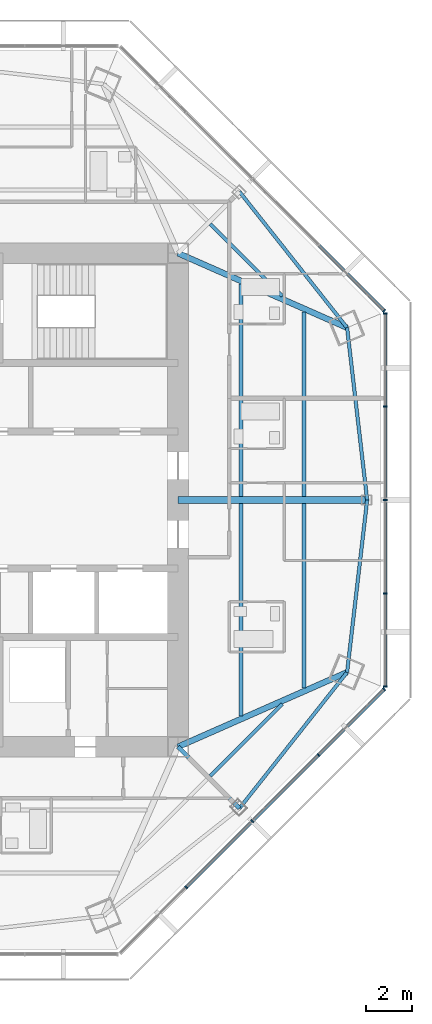
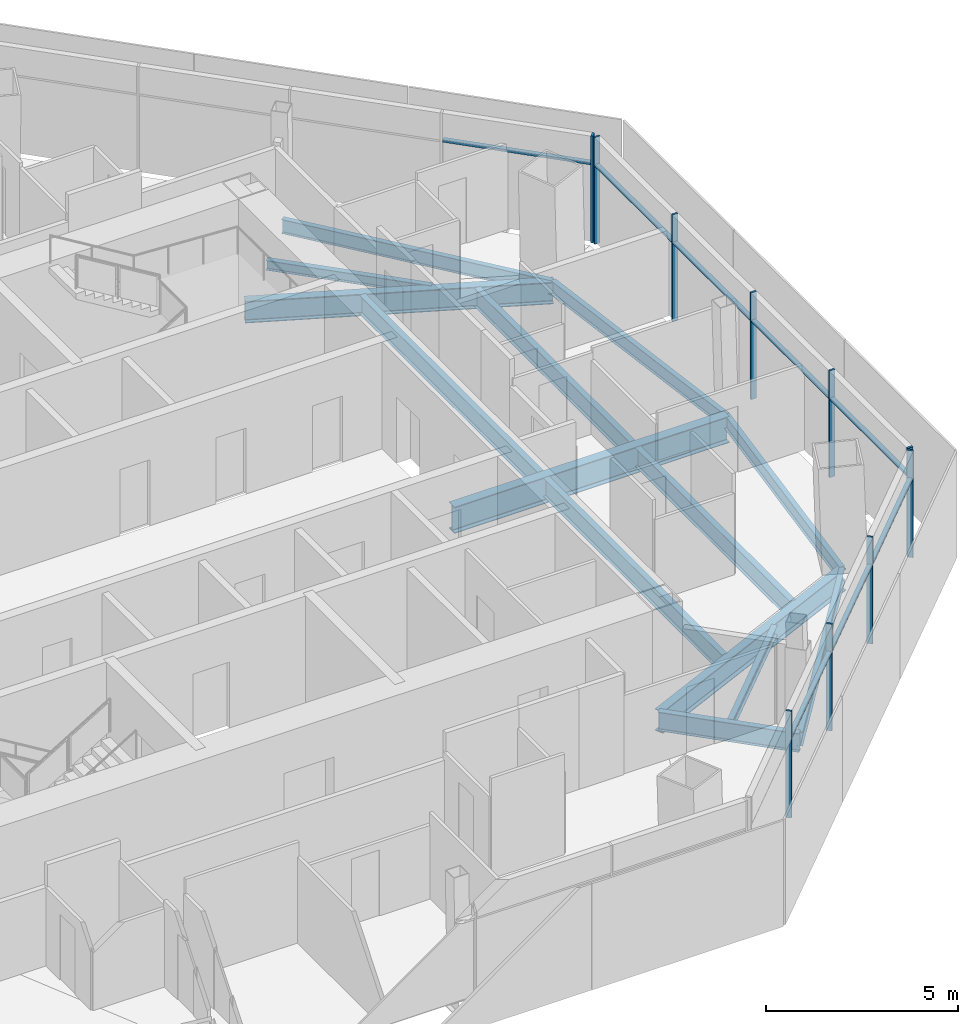
# One storey, part 5 of 14: 18 members, 14 beams, 3 elements without a shape of their own.
"""IFC4 building model written with IfcOpenShell, lengths in metres."""

from ifc_helpers import new_model, si_unit, direction, frame, origin, origin_2d, place, context, subcontext, project, spatial, rectangle, i_section, extrude, source, transform, mapped, material, material_profile, profile_set, type_object, type_shapes, element, aggregate, save


model = new_model("IFC4")

# Units and contexts
model_context = context("Model", 3, precision=1e-05, world=origin(), true_north=direction((0.0, 1.0)))
body_context = subcontext(model_context, "Body", "Model", "MODEL_VIEW")
ifc_project = project(units=[si_unit("LENGTHUNIT", "METRE"), si_unit("AREAUNIT", "SQUARE_METRE"), si_unit("VOLUMEUNIT", "CUBIC_METRE"), si_unit("PLANEANGLEUNIT", "RADIAN"), si_unit("MASSUNIT", "GRAM", prefix="KILO")], contexts=[model_context])

# Site, building, storey
site_placement = place(None, origin())
site = spatial("IfcSite", under=ifc_project, at=site_placement, CompositionType="ELEMENT")
building_placement = place(site_placement, origin())
building = spatial("IfcBuilding", under=site, at=building_placement, Name="Mashrafa Tower", CompositionType="ELEMENT")
storey_placement = place(building_placement, frame((0.0, 0.0, 287.800048828125)))
storey = spatial("IfcBuildingStorey", under=building, at=storey_placement, Name="L70", CompositionType="ELEMENT", Elevation=287.800048828125)

# Beams
ifc_material_1 = material(Name="Steel ASTM A992", Category="steel")
ifc_material_profile_1 = material_profile(ifc_material_1, i_section(OverallWidth=0.164794921875, OverallDepth=0.309814453125, WebThickness=0.005859375, FlangeThickness=0.009765625, FilletRadius=0.007568359375, at=origin_2d()), Name="W12X26")
ifc_profile_set_1 = profile_set([ifc_material_profile_1], Name="Steel ASTM A992")
beam_type_1 = type_object("IfcBeamType", Name="Beam W12X26", PredefinedType="BEAM", material=ifc_profile_set_1)
for number, where, z_axis, x_axis, name in (
    (1, (12.20849609375, 12.08251953125, -0.35498046875), (0.707079391464, -0.707134169849, 0.0), (0.707134169849, 0.707079391464, 0.0), "Floor beam L70 019"),
    (2, (15.35986328125, -8.930908203125, -0.35498046875), (-0.707079391464, -0.707134169849, 0.0), (0.707134169849, -0.707079391464, 0.0), "Floor beam L70 022"),
):
    element("IfcBeam", number, at=place(storey_placement, frame(where, z_axis=z_axis, x_axis=x_axis)), inside=storey, type_object=beam_type_1, Name=name, PredefinedType="BEAM", context=body_context, shape_type="SweptSolid", body=[
        extrude(i_section(OverallWidth=0.164794921875, OverallDepth=0.309814453125, WebThickness=0.005859375, FlangeThickness=0.009765625, FilletRadius=0.007568359375, at=origin_2d()), origin(), (0.0, 0.0, 1.0), 4.456787109375),
    ])
ifc_material_2 = material(Name="Steel ASTM A992", Category="steel")
ifc_material_profile_2 = material_profile(ifc_material_2, i_section(OverallWidth=0.15234375, OverallDepth=0.449462890625, WebThickness=0.007568359375, FlangeThickness=0.0107421875, FilletRadius=0.01025390625, at=origin_2d()), Name="W18X35")
ifc_profile_set_2 = profile_set([ifc_material_profile_2], Name="Steel ASTM A992")
beam_type_2 = type_object("IfcBeamType", Name="Beam W18X35", PredefinedType="BEAM", material=ifc_profile_set_2)
beam_1_placement = place(storey_placement, frame((13.49072265625, -13.49072265625, -0.4248046875), z_axis=(0.620559574276, 0.784159304462, 0.0), x_axis=(-0.784159304462, 0.620559574276, 0.0)))
element("IfcBeam", 3, at=beam_1_placement, inside=storey, type_object=beam_type_2, Name="Spandrel beam L70 052", PredefinedType="BEAM", context=body_context, shape_type="SweptSolid", body=[
    extrude(i_section(OverallWidth=0.15234375, OverallDepth=0.449462890625, WebThickness=0.007568359375, FlangeThickness=0.0107421875, FilletRadius=0.01025390625, at=origin_2d()), origin(), (0.0, 0.0, 1.0), 7.58984375),
])
beam_2_placement = place(storey_placement, frame((18.20068359375, -7.5390625, -0.4248046875), z_axis=(0.115700871656, 0.99328410251, 0.0), x_axis=(-0.99328410251, 0.115700871656, 0.0)))
element("IfcBeam", 4, at=beam_2_placement, inside=storey, type_object=beam_type_2, Name="Spandrel beam L70 054", PredefinedType="BEAM", context=body_context, shape_type="SweptSolid", body=[
    extrude(i_section(OverallWidth=0.15234375, OverallDepth=0.449462890625, WebThickness=0.007568359375, FlangeThickness=0.0107421875, FilletRadius=0.01025390625, at=origin_2d()), origin(), (0.0, 0.0, 1.0), 7.590087890625),
])
beam_3_placement = place(storey_placement, frame((18.20068359375, 7.5390625, -0.4248046875), z_axis=(-0.620559574276, 0.784159304462, 0.0), x_axis=(-0.784159304462, -0.620559574276, 0.0)))
element("IfcBeam", 5, at=beam_3_placement, inside=storey, type_object=beam_type_2, Name="Spandrel beam L70 055", PredefinedType="BEAM", context=body_context, shape_type="SweptSolid", body=[
    extrude(i_section(OverallWidth=0.15234375, OverallDepth=0.449462890625, WebThickness=0.007568359375, FlangeThickness=0.0107421875, FilletRadius=0.01025390625, at=origin_2d()), origin(), (0.0, 0.0, 1.0), 7.58984375),
])
beam_4_placement = place(storey_placement, frame((19.078857421875, 0.0, -0.4248046875), z_axis=(-0.115700871656, 0.99328410251, 0.0), x_axis=(-0.99328410251, -0.115700871656, 0.0)))
element("IfcBeam", 6, at=beam_4_placement, inside=storey, type_object=beam_type_2, Name="Spandrel beam L70 056", PredefinedType="BEAM", context=body_context, shape_type="SweptSolid", body=[
    extrude(i_section(OverallWidth=0.15234375, OverallDepth=0.449462890625, WebThickness=0.007568359375, FlangeThickness=0.0107421875, FilletRadius=0.01025390625, at=origin_2d()), origin(), (0.0, 0.0, 1.0), 7.590087890625),
])
ifc_material_3 = material(Name="Steel ASTM A992", Category="steel")
ifc_material_profile_3 = material_profile(ifc_material_3, i_section(OverallWidth=0.177978515625, OverallDepth=0.599365234375, WebThickness=0.010009765625, FlangeThickness=0.012939453125, FilletRadius=0.012939453125, at=origin_2d()), Name="W24X55")
ifc_profile_set_3 = profile_set([ifc_material_profile_3], Name="Steel ASTM A992")
beam_type_3 = type_object("IfcBeamType", Name="Beam W24X55", PredefinedType="BEAM", material=ifc_profile_set_3)
for number, where, z_axis, x_axis, name in (
    (7, (13.5595703125, -0.14599609375, -0.499755859375), (0.0, -1.0, 0.0), (1.0, 0.0, 0.0), "Floor beam L70 020"),
    (8, (13.5595703125, 9.44384765625, -0.499755859375), (0.0, -1.0, 0.0), (1.0, 0.0, 0.0), "Floor beam L70 021"),
):
    element("IfcBeam", number, at=place(storey_placement, frame(where, z_axis=z_axis, x_axis=x_axis)), inside=storey, type_object=beam_type_3, Name=name, PredefinedType="BEAM", context=body_context, shape_type="SweptSolid", body=[
        extrude(i_section(OverallWidth=0.177978515625, OverallDepth=0.599365234375, WebThickness=0.010009765625, FlangeThickness=0.012939453125, FilletRadius=0.012939453125, at=origin_2d()), origin(), (0.0, 0.0, 1.0), 9.2978515625),
    ])
for number, where, z_axis, x_axis, name in (
    (9, (16.3193359375, -0.14599609375, -0.499755859375), (0.0, -1.0, 0.0), (1.0, 0.0, 0.0), "Floor beam L70 023"),
    (10, (16.3193359375, 8.227783203125, -0.499755859375), (0.0, -1.0, 0.0), (1.0, 0.0, 0.0), "Floor beam L70 024"),
):
    element("IfcBeam", number, at=place(storey_placement, frame(where, z_axis=z_axis, x_axis=x_axis)), inside=storey, type_object=beam_type_3, Name=name, PredefinedType="BEAM", context=body_context, shape_type="SweptSolid", body=[
        extrude(i_section(OverallWidth=0.177978515625, OverallDepth=0.599365234375, WebThickness=0.010009765625, FlangeThickness=0.012939453125, FilletRadius=0.012939453125, at=origin_2d()), origin(), (0.0, 0.0, 1.0), 8.081787109375),
    ])
beam_5_placement = place(storey_placement, frame((10.800048828125, -10.800048828125, -0.499755859375), z_axis=(0.707106781187, -0.707106781187, 0.0), x_axis=(0.707106781187, 0.707106781187, 0.0)))
element("IfcBeam", 11, at=beam_5_placement, inside=storey, type_object=beam_type_3, Name="Radial girder L70 035", PredefinedType="BEAM", context=body_context, shape_type="SweptSolid", body=[
    extrude(i_section(OverallWidth=0.177978515625, OverallDepth=0.599365234375, WebThickness=0.010009765625, FlangeThickness=0.012939453125, FilletRadius=0.012939453125, at=origin_2d()), origin(), (0.0, 0.0, 1.0), 3.80517578125),
])
ifc_material_4 = material(Name="Steel ASTM A992", Category="steel")
ifc_material_profile_4 = material_profile(ifc_material_4, i_section(OverallWidth=0.256591796875, OverallDepth=0.693359375, WebThickness=0.014404296875, FlangeThickness=0.023681640625, FilletRadius=0.01513671875, at=origin_2d()), Name="W27X114")
ifc_profile_set_4 = profile_set([ifc_material_profile_4], Name="Steel ASTM A992")
beam_type_4 = type_object("IfcBeamType", Name="Beam W27X114", PredefinedType="BEAM", material=ifc_profile_set_4)
for number, where, z_axis, x_axis, name in (
    (12, (10.800048828125, -10.800048828125, -0.546875), (0.915100346517, 0.403226184423, 0.0), (-0.403226184423, 0.915100346517, 0.0), "Radial girder L70 036"),
    (13, (10.800048828125, 10.800048828125, -0.546875), (0.915100346517, -0.403226184423, 0.0), (0.403226184423, 0.915100346517, 0.0), "Radial girder L70 040"),
):
    element("IfcBeam", number, at=place(storey_placement, frame(where, z_axis=z_axis, x_axis=x_axis)), inside=storey, type_object=beam_type_4, Name=name, PredefinedType="BEAM", context=body_context, shape_type="SweptSolid", body=[
        extrude(i_section(OverallWidth=0.256591796875, OverallDepth=0.693359375, WebThickness=0.014404296875, FlangeThickness=0.023681640625, FilletRadius=0.01513671875, at=origin_2d()), origin(), (0.0, 0.0, 1.0), 8.087158203125),
    ])
ifc_material_5 = material(Name="Steel ASTM A992", Category="steel")
ifc_material_profile_5 = material_profile(ifc_material_5, i_section(OverallWidth=0.2919921875, OverallDepth=0.8408203125, WebThickness=0.0146484375, FlangeThickness=0.021728515625, FilletRadius=0.017333984375, at=origin_2d()), Name="W33X130")
ifc_profile_set_5 = profile_set([ifc_material_profile_5], Name="Steel ASTM A992")
beam_type_5 = type_object("IfcBeamType", Name="Beam W33X130", PredefinedType="BEAM", material=ifc_profile_set_5)
beam_6_placement = place(storey_placement, frame((10.800048828125, 0.0, -0.620361328125), z_axis=(1.0, 0.0, 0.0), x_axis=(0.0, 1.0, 0.0)))
element("IfcBeam", 14, at=beam_6_placement, inside=storey, type_object=beam_type_5, Name="Radial girder L70 037", PredefinedType="BEAM", context=body_context, shape_type="SweptSolid", body=[
    extrude(i_section(OverallWidth=0.2919921875, OverallDepth=0.8408203125, WebThickness=0.0146484375, FlangeThickness=0.021728515625, FilletRadius=0.017333984375, at=origin_2d()), origin(), (0.0, 0.0, 1.0), 8.27880859375),
])

# Curtain wall, members
ifc_material_6 = material(Name="Unitised aluminium curtain wall", Category="aluminium")
curtain_wall_type = type_object("IfcCurtainWallType", Name="Apartment curtain wall, zone 4 CW-D 160 deep", PredefinedType="NOTDEFINED", material=ifc_material_6)
curtain_wall_1_placement = place(storey_placement, origin())
curtain_wall_1 = element("IfcCurtainWall", 15, at=curtain_wall_1_placement, inside=storey, type_object=curtain_wall_type, Name="Apartment curtain wall, zone 4 L70 east", PredefinedType="NOTDEFINED")
ifc_material_7 = material(Name="Extruded aluminium mullion", Category="aluminium")
ifc_material_profile_6 = material_profile(ifc_material_7, rectangle(XDim=0.159912109375, YDim=0.06005859375, at=origin_2d()), Name="Mullion 60x160")
ifc_profile_set_6 = profile_set([ifc_material_profile_6], Name="Extruded aluminium mullion")
member_type_1 = type_object("IfcMemberType", Name="Mullion CW-D 60 x 160", PredefinedType="MULLION", material=ifc_profile_set_6)
shared_shape_1 = source(origin(), body_context, "Body", "SweptSolid", [
    extrude(rectangle(XDim=0.159912109375, YDim=0.06005859375, at=origin_2d()), origin(), (0.0, 0.0, 1.0), 3.39990234375),
])
type_shapes(member_type_1, [shared_shape_1])
member_1_placement = place(storey_placement, frame((19.873291015625, -8.15869140625, 0.0), z_axis=(0.0, 0.0, 1.0), x_axis=(-1.0, 0.0, 0.0)))
member_1 = element("IfcMember", 16, at=member_1_placement, type_object=member_type_1, Name="CW-D mullion 1", PredefinedType="MULLION", context=body_context, shape_type="MappedRepresentation", body=[
    mapped(shared_shape_1, transform((0.0, 0.0, 0.0))),
])
member_2_placement = place(storey_placement, frame((19.873291015625, -4.09423828125, 0.0), z_axis=(0.0, 0.0, 1.0), x_axis=(-1.0, 0.0, 0.0)))
member_2 = element("IfcMember", 17, at=member_2_placement, type_object=member_type_1, Name="CW-D mullion 2", PredefinedType="MULLION", context=body_context, shape_type="MappedRepresentation", body=[
    mapped(shared_shape_1, transform((0.0, 0.0, 0.0))),
])
member_3_placement = place(storey_placement, frame((19.873291015625, 0.0, 0.0), z_axis=(0.0, 0.0, 1.0), x_axis=(-1.0, 0.0, 0.0)))
member_3 = element("IfcMember", 18, at=member_3_placement, type_object=member_type_1, Name="CW-D mullion 3", PredefinedType="MULLION", context=body_context, shape_type="MappedRepresentation", body=[
    mapped(shared_shape_1, transform((0.0, 0.0, 0.0))),
])
member_4_placement = place(storey_placement, frame((19.873291015625, 4.09423828125, 0.0), z_axis=(0.0, 0.0, 1.0), x_axis=(-1.0, 0.0, 0.0)))
member_4 = element("IfcMember", 19, at=member_4_placement, type_object=member_type_1, Name="CW-D mullion 4", PredefinedType="MULLION", context=body_context, shape_type="MappedRepresentation", body=[
    mapped(shared_shape_1, transform((0.0, 0.0, 0.0))),
])
member_5_placement = place(storey_placement, frame((19.873291015625, 8.15869140625, 0.0), z_axis=(0.0, 0.0, 1.0), x_axis=(-1.0, 0.0, 0.0)))
member_5 = element("IfcMember", 20, at=member_5_placement, type_object=member_type_1, Name="CW-D mullion 5", PredefinedType="MULLION", context=body_context, shape_type="MappedRepresentation", body=[
    mapped(shared_shape_1, transform((0.0, 0.0, 0.0))),
])

# Curtain wall, member
curtain_wall_2_placement = place(storey_placement, origin())
curtain_wall_2 = element("IfcCurtainWall", 21, at=curtain_wall_2_placement, inside=storey, type_object=curtain_wall_type, Name="Apartment curtain wall, zone 4 L70 north-east", PredefinedType="NOTDEFINED")
member_6_placement = place(storey_placement, frame((19.821533203125, 8.283447265625, 0.0), z_axis=(0.0, 0.0, 1.0), x_axis=(-0.707106781187, -0.707106781187, 0.0)))
member_6 = element("IfcMember", 22, at=member_6_placement, type_object=member_type_1, Name="CW-D mullion 1", PredefinedType="MULLION", context=body_context, shape_type="MappedRepresentation", body=[
    mapped(shared_shape_1, transform((0.0, 0.0, 0.0))),
])

# Curtain wall, members
curtain_wall_3_placement = place(storey_placement, origin())
curtain_wall_3 = element("IfcCurtainWall", 23, at=curtain_wall_3_placement, inside=storey, type_object=curtain_wall_type, Name="Apartment curtain wall, zone 4 L70 south-east", PredefinedType="NOTDEFINED")
member_7_placement = place(storey_placement, frame((11.157470703125, -16.94775390625, 0.0), z_axis=(0.0, 0.0, 1.0), x_axis=(-0.707106781187, 0.707106781187, 0.0)))
member_7 = element("IfcMember", 24, at=member_7_placement, type_object=member_type_1, Name="CW-D mullion 2", PredefinedType="MULLION", context=body_context, shape_type="MappedRepresentation", body=[
    mapped(shared_shape_1, transform((0.0, 0.0, 0.0))),
])
member_8_placement = place(storey_placement, frame((14.052490234375, -14.052490234375, 0.0), z_axis=(0.0, 0.0, 1.0), x_axis=(-0.707106781187, 0.707106781187, 0.0)))
member_8 = element("IfcMember", 25, at=member_8_placement, type_object=member_type_1, Name="CW-D mullion 3", PredefinedType="MULLION", context=body_context, shape_type="MappedRepresentation", body=[
    mapped(shared_shape_1, transform((0.0, 0.0, 0.0))),
])
member_9_placement = place(storey_placement, frame((16.94775390625, -11.157470703125, 0.0), z_axis=(0.0, 0.0, 1.0), x_axis=(-0.707106781187, 0.707106781187, 0.0)))
member_9 = element("IfcMember", 26, at=member_9_placement, type_object=member_type_1, Name="CW-D mullion 4", PredefinedType="MULLION", context=body_context, shape_type="MappedRepresentation", body=[
    mapped(shared_shape_1, transform((0.0, 0.0, 0.0))),
])
member_10_placement = place(storey_placement, frame((19.821533203125, -8.283447265625, 0.0), z_axis=(0.0, 0.0, 1.0), x_axis=(-0.707106781187, 0.707106781187, 0.0)))
member_10 = element("IfcMember", 27, at=member_10_placement, type_object=member_type_1, Name="CW-D mullion 5", PredefinedType="MULLION", context=body_context, shape_type="MappedRepresentation", body=[
    mapped(shared_shape_1, transform((0.0, 0.0, 0.0))),
])

# Member
ifc_material_8 = material(Name="Extruded aluminium transom", Category="aluminium")
ifc_material_profile_7 = material_profile(ifc_material_8, rectangle(XDim=0.1279296875, YDim=0.074951171875, at=origin_2d()), Name="Transom 75x128")
ifc_profile_set_7 = profile_set([ifc_material_profile_7], Name="Extruded aluminium transom")
member_type_2 = type_object("IfcMemberType", Name="Transom CW-D 75 x 128", PredefinedType="MULLION", material=ifc_profile_set_7)
shared_shape_2 = source(origin(), body_context, "Body", "SweptSolid", [
    extrude(rectangle(XDim=0.1279296875, YDim=0.074951171875, at=origin_2d()), origin(), (0.0, 0.0, 1.0), 4.00439453125),
])
member_11_placement = place(storey_placement, frame((19.873291015625, -8.128662109375, 2.5), z_axis=(0.0, 1.0, 0.0), x_axis=(-1.0, 0.0, 0.0)))
member_11 = element("IfcMember", 28, at=member_11_placement, type_object=member_type_2, Name="CW-D transom 1", PredefinedType="MULLION", context=body_context, shape_type="MappedRepresentation", body=[
    mapped(shared_shape_2, transform((0.0, 0.0, 0.0))),
])

member_12_placement = place(storey_placement, frame((19.873291015625, 4.124267578125, 2.5), z_axis=(0.0, 1.0, 0.0), x_axis=(-1.0, 0.0, 0.0)))
member_12 = element("IfcMember", 29, at=member_12_placement, type_object=member_type_2, Name="CW-D transom 4", PredefinedType="MULLION", context=body_context, shape_type="MappedRepresentation", body=[
    mapped(shared_shape_2, transform((0.0, 0.0, 0.0))),
])

member_13_placement = place(storey_placement, frame((19.80029296875, 8.3046875, 2.5), z_axis=(-0.707106781187, 0.707106781187, 0.0), x_axis=(-0.707106781187, -0.707106781187, 0.0)))
member_13 = element("IfcMember", 30, at=member_13_placement, type_object=member_type_2, Name="CW-D transom 1", PredefinedType="MULLION", context=body_context, shape_type="MappedRepresentation", body=[
    mapped(shared_shape_2, transform((0.0, 0.0, 0.0))),
])

aggregate(curtain_wall_2, [member_6, member_13])

member_14_placement = place(storey_placement, frame((16.96875, -11.13623046875, 2.5), z_axis=(0.707106781187, 0.707106781187, 0.0), x_axis=(-0.707106781187, 0.707106781187, 0.0)))
member_14 = element("IfcMember", 31, at=member_14_placement, type_object=member_type_2, Name="CW-D transom 4", PredefinedType="MULLION", context=body_context, shape_type="MappedRepresentation", body=[
    mapped(shared_shape_2, transform((0.0, 0.0, 0.0))),
])

shared_shape_3 = source(origin(), body_context, "Body", "SweptSolid", [
    extrude(rectangle(XDim=0.1279296875, YDim=0.074951171875, at=origin_2d()), origin(), (0.0, 0.0, 1.0), 4.0341796875),
])
type_shapes(member_type_2, [shared_shape_2, shared_shape_3])
member_15_placement = place(storey_placement, frame((19.873291015625, -4.064208984375, 2.5), z_axis=(0.0, 1.0, 0.0), x_axis=(-1.0, 0.0, 0.0)))
member_15 = element("IfcMember", 32, at=member_15_placement, type_object=member_type_2, Name="CW-D transom 2", PredefinedType="MULLION", context=body_context, shape_type="MappedRepresentation", body=[
    mapped(shared_shape_3, transform((0.0, 0.0, 0.0))),
])

member_16_placement = place(storey_placement, frame((19.873291015625, 0.030029296875, 2.5), z_axis=(0.0, 1.0, 0.0), x_axis=(-1.0, 0.0, 0.0)))
member_16 = element("IfcMember", 33, at=member_16_placement, type_object=member_type_2, Name="CW-D transom 3", PredefinedType="MULLION", context=body_context, shape_type="MappedRepresentation", body=[
    mapped(shared_shape_3, transform((0.0, 0.0, 0.0))),
])

aggregate(curtain_wall_1, [member_1, member_2, member_3, member_4, member_5, member_11, member_15, member_16, member_12])

member_17_placement = place(storey_placement, frame((11.1787109375, -16.926513671875, 2.5), z_axis=(0.707076522215, 0.707137038863, 0.0), x_axis=(-0.707137038863, 0.707076522215, 0.0)))
member_17 = element("IfcMember", 34, at=member_17_placement, type_object=member_type_2, Name="CW-D transom 2", PredefinedType="MULLION", context=body_context, shape_type="MappedRepresentation", body=[
    mapped(shared_shape_3, transform((0.0, 0.0, 0.0))),
])

member_18_placement = place(storey_placement, frame((14.07373046875, -14.03125, 2.5), z_axis=(0.707137038863, 0.707076522215, 0.0), x_axis=(-0.707076522215, 0.707137038863, 0.0)))
member_18 = element("IfcMember", 35, at=member_18_placement, type_object=member_type_2, Name="CW-D transom 3", PredefinedType="MULLION", context=body_context, shape_type="MappedRepresentation", body=[
    mapped(shared_shape_3, transform((0.0, 0.0, 0.0))),
])

aggregate(curtain_wall_3, [member_7, member_8, member_9, member_10, member_17, member_18, member_14])

save(model, "model.ifc")
